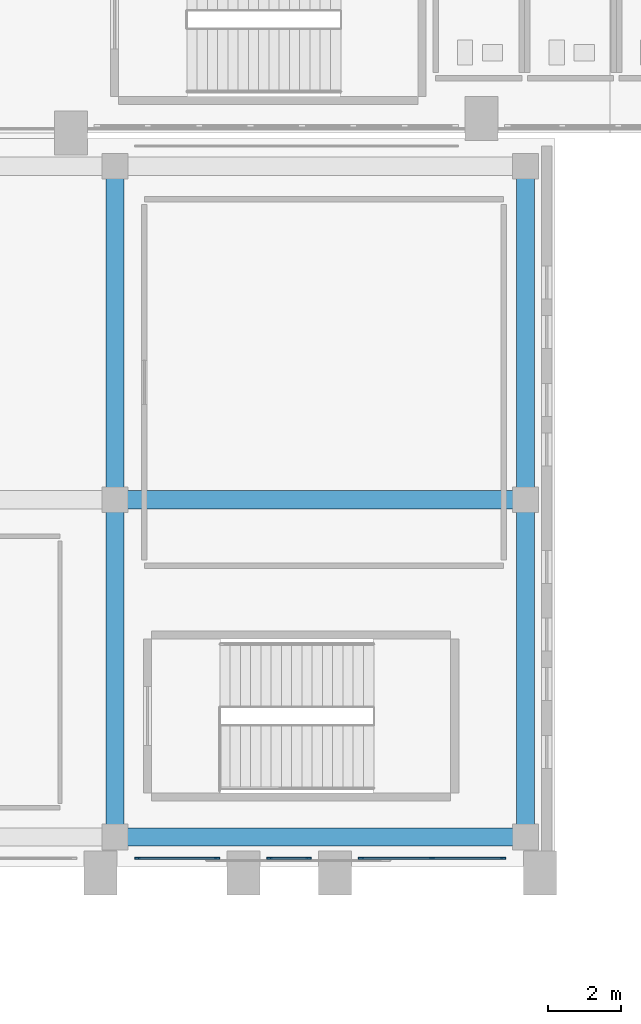
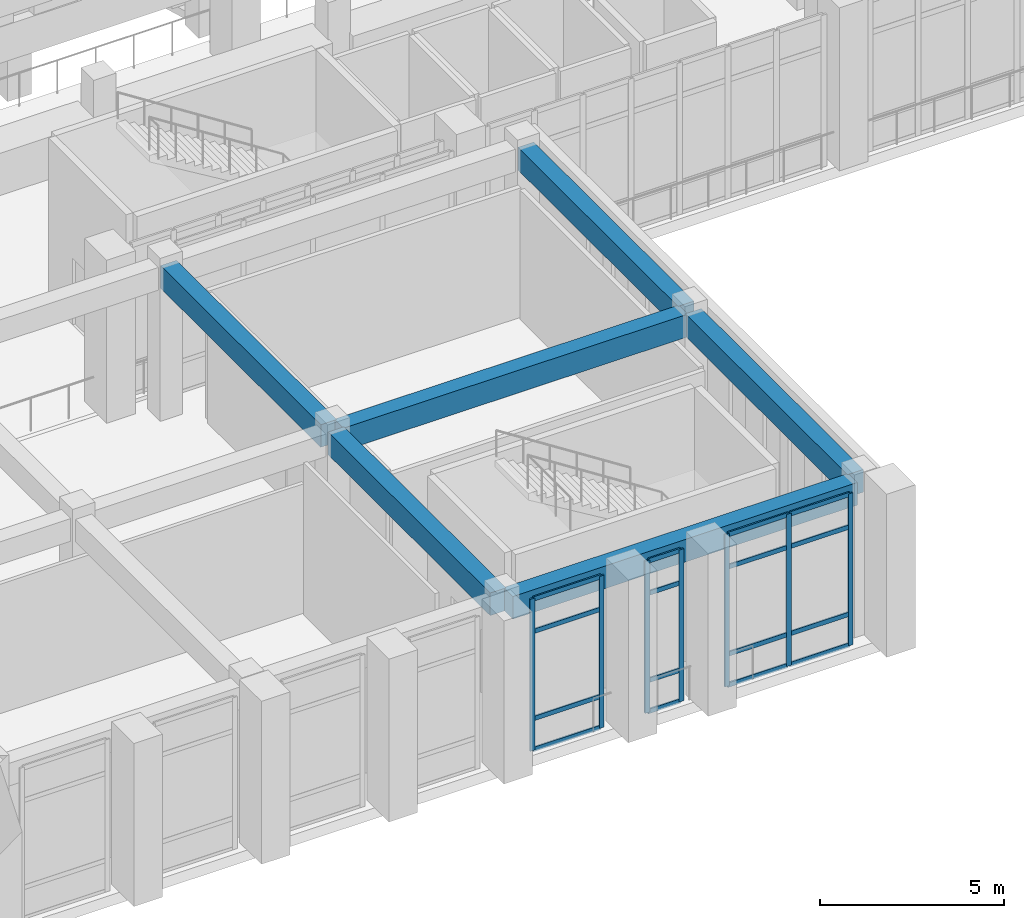
# One storey, part 22 of 159: 23 members, 6 beams, 3 elements without a shape of their own.
"""IFC4 building model written with IfcOpenShell, lengths in metres."""

from ifc_helpers import new_model, si_unit, derived_unit, direction, frame, origin, origin_2d, place, context, subcontext, project, spatial, rectangle, extrude, material, layer, layer_set, material_profile, profile_set, type_object, element, aggregate, save


model = new_model("IFC4")

# Units and contexts
model_context = context("Model", 3, precision=1e-05, world=origin(), true_north=direction((0.0, 1.0)))
body_context = subcontext(model_context, "Body", "Model", "MODEL_VIEW")
ifc_project = project(units=[si_unit("LENGTHUNIT", "METRE"), si_unit("AREAUNIT", "SQUARE_METRE"), si_unit("VOLUMEUNIT", "CUBIC_METRE"), si_unit("PLANEANGLEUNIT", "RADIAN"), si_unit("MASSUNIT", "GRAM", prefix="KILO"), derived_unit("THERMALTRANSMITTANCEUNIT", [(si_unit("MASSUNIT", "GRAM", prefix="KILO"), 1), (si_unit("TIMEUNIT", "SECOND"), -3), (si_unit("THERMODYNAMICTEMPERATUREUNIT", "KELVIN"), -1)])], contexts=[model_context])

# Site, building, storey
site_placement = place(None, origin())
site = spatial("IfcSite", under=ifc_project, at=site_placement, CompositionType="ELEMENT")
building_placement = place(site_placement, origin())
building = spatial("IfcBuilding", under=site, at=building_placement, Name="Valcora Ridge Arena", CompositionType="ELEMENT")
storey_placement = place(building_placement, frame((0.0, 0.0, 6.0)))
storey = spatial("IfcBuildingStorey", under=building, at=storey_placement, Name="L01", CompositionType="ELEMENT", Elevation=6.0)

# Beams
ifc_material_1 = material(Name="Concrete C40/50", Category="concrete")
ifc_material_profile_1 = material_profile(ifc_material_1, rectangle(XDim=0.5, YDim=0.75, at=origin_2d()), Name="RC 500x750")
ifc_profile_set_1 = profile_set([ifc_material_profile_1], Name="Concrete C40/50")
beam_type_1 = type_object("IfcBeamType", Name="TY-BEAM-B-RC500-X", PredefinedType="BEAM", material=ifc_profile_set_1)
beam_1_placement = place(storey_placement, frame((48.199951171875, 10.0, 4.6650390625), z_axis=(1.0, 0.0, 0.0), x_axis=(0.0, 1.0, 0.0)))
element("IfcBeam", 1, at=beam_1_placement, inside=storey, type_object=beam_type_1, Name="B-RC500-X BEM-B-RC500-X-0033", PredefinedType="BEAM", context=body_context, shape_type="SweptSolid", body=[
    extrude(rectangle(XDim=0.5, YDim=0.75, at=origin_2d()), origin(), (0.0, 0.0, 1.0), 10.800048828125),
])
ifc_material_profile_2 = material_profile(ifc_material_1, rectangle(XDim=0.5, YDim=0.75, at=origin_2d()), Name="RC 500x750")
ifc_profile_set_2 = profile_set([ifc_material_profile_2], Name="Concrete C40/50")
beam_type_2 = type_object("IfcBeamType", Name="TY-BEAM-B-RC500-Y", PredefinedType="BEAM", material=ifc_profile_set_2)
beam_2_placement = place(storey_placement, frame((48.0, 1.0, 4.6650390625), z_axis=(0.0, 1.0, 0.0), x_axis=(-1.0, 0.0, 0.0)))
element("IfcBeam", 2, at=beam_2_placement, inside=storey, type_object=beam_type_2, Name="B-RC500-Y BEM-B-RC500-Y-0063", PredefinedType="BEAM", context=body_context, shape_type="SweptSolid", body=[
    extrude(rectangle(XDim=0.5, YDim=0.75, at=origin_2d()), origin(), (0.0, 0.0, 1.0), 8.800048828125),
])
beam_3_placement = place(storey_placement, frame((48.0, 10.199951171875, 4.6650390625), z_axis=(0.0, 1.0, 0.0), x_axis=(-1.0, 0.0, 0.0)))
element("IfcBeam", 3, at=beam_3_placement, inside=storey, type_object=beam_type_2, Name="B-RC500-Y BEM-B-RC500-Y-0064", PredefinedType="BEAM", context=body_context, shape_type="SweptSolid", body=[
    extrude(rectangle(XDim=0.5, YDim=0.75, at=origin_2d()), origin(), (0.0, 0.0, 1.0), 8.699951171875),
])
beam_4_placement = place(storey_placement, frame((59.199951171875, 1.0, 4.6650390625), z_axis=(0.0, 1.0, 0.0), x_axis=(-1.0, 0.0, 0.0)))
element("IfcBeam", 4, at=beam_4_placement, inside=storey, type_object=beam_type_2, Name="B-RC500-Y BEM-B-RC500-Y-0065", PredefinedType="BEAM", context=body_context, shape_type="SweptSolid", body=[
    extrude(rectangle(XDim=0.5, YDim=0.75, at=origin_2d()), origin(), (0.0, 0.0, 1.0), 8.800048828125),
])
beam_5_placement = place(storey_placement, frame((59.199951171875, 10.199951171875, 4.6650390625), z_axis=(0.0, 1.0, 0.0), x_axis=(-1.0, 0.0, 0.0)))
element("IfcBeam", 5, at=beam_5_placement, inside=storey, type_object=beam_type_2, Name="B-RC500-Y BEM-B-RC500-Y-0066", PredefinedType="BEAM", context=body_context, shape_type="SweptSolid", body=[
    extrude(rectangle(XDim=0.5, YDim=0.75, at=origin_2d()), origin(), (0.0, 0.0, 1.0), 8.699951171875),
])
ifc_material_profile_3 = material_profile(ifc_material_1, rectangle(XDim=0.5, YDim=0.75, at=origin_2d()), Name="RC 500x750")
ifc_profile_set_3 = profile_set([ifc_material_profile_3], Name="Concrete C40/50")
beam_type_3 = type_object("IfcBeamType", Name="TY-BEAM-EB-RC500", PredefinedType="BEAM", material=ifc_profile_set_3)
beam_6_placement = place(storey_placement, frame((48.199951171875, 0.800048828125, 4.6650390625), z_axis=(1.0, 0.0, 0.0), x_axis=(0.0, 1.0, 0.0)))
element("IfcBeam", 6, at=beam_6_placement, inside=storey, type_object=beam_type_3, Name="EB-RC500 BEM-EB-RC500-0016", PredefinedType="BEAM", context=body_context, shape_type="SweptSolid", body=[
    extrude(rectangle(XDim=0.5, YDim=0.75, at=origin_2d()), origin(), (0.0, 0.0, 1.0), 10.800048828125),
])

# Curtain wall, members
ifc_material_2 = material(Name="Anodised dark bronze architectural aluminium 6063-T6", Category="aluminium")
ifc_layer_1 = layer(ifc_material_2, 0.14990234375, Name="Anodised dark bronze architectural aluminium 6063-T6")
ifc_layer_set_1 = layer_set([ifc_layer_1], Name="Anodised dark bronze architectural aluminium 6063-T6")
curtain_wall_type_1 = type_object("IfcCurtainWallType", Name="TY-CURTAINWALL-CW-V4-CLUB-022X50", PredefinedType="NOTDEFINED", material=ifc_layer_set_1)
curtain_wall_1_placement = place(storey_placement, origin())
curtain_wall_1 = element("IfcCurtainWall", 7, at=curtain_wall_1_placement, inside=storey, type_object=curtain_wall_type_1, Name="CW-V4-CLUB-022X50 CW-0213", PredefinedType="NOTDEFINED")
ifc_material_profile_4 = material_profile(ifc_material_2, rectangle(XDim=0.050048828125, YDim=0.14990234375, at=origin_2d()), Name="ALU MULLION 50x150")
ifc_profile_set_4 = profile_set([ifc_material_profile_4], Name="Anodised dark bronze architectural aluminium 6063-T6")
member_type_1 = type_object("IfcMemberType", Name="TY-MEM-CWM-50x150", PredefinedType="MULLION", material=ifc_profile_set_4)
member_1_placement = place(storey_placement, frame((48.614990234375, 0.219970703125, 0.0), z_axis=(0.0, 0.0, 1.0), x_axis=(0.0, 1.0, 0.0)))
member_1 = element("IfcMember", 8, at=member_1_placement, type_object=member_type_1, Name="CW-0213/CWM-50x150/M00", PredefinedType="MULLION", context=body_context, shape_type="SweptSolid", body=[
    extrude(rectangle(XDim=0.050048828125, YDim=0.14990234375, at=origin_2d()), origin(), (0.0, 0.0, 1.0), 5.0400390625),
])
member_2_placement = place(storey_placement, frame((50.784912109375, 0.219970703125, 0.0), z_axis=(0.0, 0.0, 1.0), x_axis=(0.0, 1.0, 0.0)))
member_2 = element("IfcMember", 9, at=member_2_placement, type_object=member_type_1, Name="CW-0213/CWM-50x150/M01", PredefinedType="MULLION", context=body_context, shape_type="SweptSolid", body=[
    extrude(rectangle(XDim=0.050048828125, YDim=0.14990234375, at=origin_2d()), origin(), (0.0, 0.0, 1.0), 5.0400390625),
])

ifc_layer_2 = layer(ifc_material_2, 0.14990234375, Name="Anodised dark bronze architectural aluminium 6063-T6")
ifc_layer_set_2 = layer_set([ifc_layer_2], Name="Anodised dark bronze architectural aluminium 6063-T6")
curtain_wall_type_2 = type_object("IfcCurtainWallType", Name="TY-CURTAINWALL-CW-V4-CLUB-011X50", PredefinedType="NOTDEFINED", material=ifc_layer_set_2)
curtain_wall_2_placement = place(storey_placement, origin())
curtain_wall_2 = element("IfcCurtainWall", 10, at=curtain_wall_2_placement, inside=storey, type_object=curtain_wall_type_2, Name="CW-V4-CLUB-011X50 CW-0214", PredefinedType="NOTDEFINED")
member_3_placement = place(storey_placement, frame((52.215087890625, 0.219970703125, 0.0), z_axis=(0.0, 0.0, 1.0), x_axis=(0.0, 1.0, 0.0)))
member_3 = element("IfcMember", 11, at=member_3_placement, type_object=member_type_1, Name="CW-0214/CWM-50x150/M00", PredefinedType="MULLION", context=body_context, shape_type="SweptSolid", body=[
    extrude(rectangle(XDim=0.050048828125, YDim=0.14990234375, at=origin_2d()), origin(), (0.0, 0.0, 1.0), 5.0400390625),
])
member_4_placement = place(storey_placement, frame((53.284912109375, 0.219970703125, 0.0), z_axis=(0.0, 0.0, 1.0), x_axis=(0.0, 1.0, 0.0)))
member_4 = element("IfcMember", 12, at=member_4_placement, type_object=member_type_1, Name="CW-0214/CWM-50x150/M01", PredefinedType="MULLION", context=body_context, shape_type="SweptSolid", body=[
    extrude(rectangle(XDim=0.050048828125, YDim=0.14990234375, at=origin_2d()), origin(), (0.0, 0.0, 1.0), 5.0400390625),
])

ifc_layer_3 = layer(ifc_material_2, 0.14990234375, Name="Anodised dark bronze architectural aluminium 6063-T6")
ifc_layer_set_3 = layer_set([ifc_layer_3], Name="Anodised dark bronze architectural aluminium 6063-T6")
curtain_wall_type_3 = type_object("IfcCurtainWallType", Name="TY-CURTAINWALL-CW-V4-CLUB-039X50", PredefinedType="NOTDEFINED", material=ifc_layer_set_3)
curtain_wall_3_placement = place(storey_placement, origin())
curtain_wall_3 = element("IfcCurtainWall", 13, at=curtain_wall_3_placement, inside=storey, type_object=curtain_wall_type_3, Name="CW-V4-CLUB-039X50 CW-0215", PredefinedType="NOTDEFINED")
member_5_placement = place(storey_placement, frame((54.715087890625, 0.219970703125, 0.0), z_axis=(0.0, 0.0, 1.0), x_axis=(0.0, 1.0, 0.0)))
member_5 = element("IfcMember", 14, at=member_5_placement, type_object=member_type_1, Name="CW-0215/CWM-50x150/M00", PredefinedType="MULLION", context=body_context, shape_type="SweptSolid", body=[
    extrude(rectangle(XDim=0.050048828125, YDim=0.14990234375, at=origin_2d()), origin(), (0.0, 0.0, 1.0), 5.0400390625),
])
member_6_placement = place(storey_placement, frame((56.64990234375, 0.219970703125, 0.0), z_axis=(0.0, 0.0, 1.0), x_axis=(0.0, 1.0, 0.0)))
member_6 = element("IfcMember", 15, at=member_6_placement, type_object=member_type_1, Name="CW-0215/CWM-50x150/M01", PredefinedType="MULLION", context=body_context, shape_type="SweptSolid", body=[
    extrude(rectangle(XDim=0.050048828125, YDim=0.14990234375, at=origin_2d()), origin(), (0.0, 0.0, 1.0), 5.0400390625),
])
member_7_placement = place(storey_placement, frame((58.5849609375, 0.219970703125, 0.0), z_axis=(0.0, 0.0, 1.0), x_axis=(0.0, 1.0, 0.0)))
member_7 = element("IfcMember", 16, at=member_7_placement, type_object=member_type_1, Name="CW-0215/CWM-50x150/M02", PredefinedType="MULLION", context=body_context, shape_type="SweptSolid", body=[
    extrude(rectangle(XDim=0.050048828125, YDim=0.14990234375, at=origin_2d()), origin(), (0.0, 0.0, 1.0), 5.0400390625),
])

# Member
ifc_material_profile_5 = material_profile(ifc_material_2, rectangle(XDim=0.050048828125, YDim=0.14990234375, at=origin_2d()), Name="ALU TRANSOM 50x150")
ifc_profile_set_5 = profile_set([ifc_material_profile_5], Name="Anodised dark bronze architectural aluminium 6063-T6")
member_type_2 = type_object("IfcMemberType", Name="TY-MEM-CWT-50x150", PredefinedType="USERDEFINED", material=ifc_profile_set_5)
member_8_placement = place(storey_placement, frame((48.639892578125, 0.219970703125, 0.02490234375), z_axis=(1.0, 0.0, 0.0), x_axis=(0.0, 1.0, 0.0)))
member_8 = element("IfcMember", 17, at=member_8_placement, type_object=member_type_2, Name="CW-0213/CWT-50x150/T00-00", ObjectType="TRANSOM", PredefinedType="USERDEFINED", context=body_context, shape_type="SweptSolid", body=[
    extrude(rectangle(XDim=0.050048828125, YDim=0.14990234375, at=origin_2d()), origin(), (0.0, 0.0, 1.0), 2.1201171875),
])

member_9_placement = place(storey_placement, frame((48.639892578125, 0.219970703125, 1.050048828125), z_axis=(1.0, 0.0, 0.0), x_axis=(0.0, 1.0, 0.0)))
member_9 = element("IfcMember", 18, at=member_9_placement, type_object=member_type_2, Name="CW-0213/CWT-50x150/T00-01", ObjectType="TRANSOM", PredefinedType="USERDEFINED", context=body_context, shape_type="SweptSolid", body=[
    extrude(rectangle(XDim=0.050048828125, YDim=0.14990234375, at=origin_2d()), origin(), (0.0, 0.0, 1.0), 2.1201171875),
])

member_10_placement = place(storey_placement, frame((48.639892578125, 0.219970703125, 3.93994140625), z_axis=(1.0, 0.0, 0.0), x_axis=(0.0, 1.0, 0.0)))
member_10 = element("IfcMember", 19, at=member_10_placement, type_object=member_type_2, Name="CW-0213/CWT-50x150/T00-02", ObjectType="TRANSOM", PredefinedType="USERDEFINED", context=body_context, shape_type="SweptSolid", body=[
    extrude(rectangle(XDim=0.050048828125, YDim=0.14990234375, at=origin_2d()), origin(), (0.0, 0.0, 1.0), 2.1201171875),
])

member_11_placement = place(storey_placement, frame((48.639892578125, 0.219970703125, 5.014892578125), z_axis=(1.0, 0.0, 0.0), x_axis=(0.0, 1.0, 0.0)))
member_11 = element("IfcMember", 20, at=member_11_placement, type_object=member_type_2, Name="CW-0213/CWT-50x150/T00-03", ObjectType="TRANSOM", PredefinedType="USERDEFINED", context=body_context, shape_type="SweptSolid", body=[
    extrude(rectangle(XDim=0.050048828125, YDim=0.14990234375, at=origin_2d()), origin(), (0.0, 0.0, 1.0), 2.1201171875),
])

aggregate(curtain_wall_1, [member_1, member_2, member_8, member_9, member_10, member_11])

member_12_placement = place(storey_placement, frame((52.239990234375, 0.219970703125, 0.02490234375), z_axis=(1.0, 0.0, 0.0), x_axis=(0.0, 1.0, 0.0)))
member_12 = element("IfcMember", 21, at=member_12_placement, type_object=member_type_2, Name="CW-0214/CWT-50x150/T00-00", ObjectType="TRANSOM", PredefinedType="USERDEFINED", context=body_context, shape_type="SweptSolid", body=[
    extrude(rectangle(XDim=0.050048828125, YDim=0.14990234375, at=origin_2d()), origin(), (0.0, 0.0, 1.0), 1.02001953125),
])

member_13_placement = place(storey_placement, frame((52.239990234375, 0.219970703125, 1.050048828125), z_axis=(1.0, 0.0, 0.0), x_axis=(0.0, 1.0, 0.0)))
member_13 = element("IfcMember", 22, at=member_13_placement, type_object=member_type_2, Name="CW-0214/CWT-50x150/T00-01", ObjectType="TRANSOM", PredefinedType="USERDEFINED", context=body_context, shape_type="SweptSolid", body=[
    extrude(rectangle(XDim=0.050048828125, YDim=0.14990234375, at=origin_2d()), origin(), (0.0, 0.0, 1.0), 1.02001953125),
])

member_14_placement = place(storey_placement, frame((52.239990234375, 0.219970703125, 3.93994140625), z_axis=(1.0, 0.0, 0.0), x_axis=(0.0, 1.0, 0.0)))
member_14 = element("IfcMember", 23, at=member_14_placement, type_object=member_type_2, Name="CW-0214/CWT-50x150/T00-02", ObjectType="TRANSOM", PredefinedType="USERDEFINED", context=body_context, shape_type="SweptSolid", body=[
    extrude(rectangle(XDim=0.050048828125, YDim=0.14990234375, at=origin_2d()), origin(), (0.0, 0.0, 1.0), 1.02001953125),
])

member_15_placement = place(storey_placement, frame((52.239990234375, 0.219970703125, 5.014892578125), z_axis=(1.0, 0.0, 0.0), x_axis=(0.0, 1.0, 0.0)))
member_15 = element("IfcMember", 24, at=member_15_placement, type_object=member_type_2, Name="CW-0214/CWT-50x150/T00-03", ObjectType="TRANSOM", PredefinedType="USERDEFINED", context=body_context, shape_type="SweptSolid", body=[
    extrude(rectangle(XDim=0.050048828125, YDim=0.14990234375, at=origin_2d()), origin(), (0.0, 0.0, 1.0), 1.02001953125),
])

aggregate(curtain_wall_2, [member_3, member_4, member_12, member_13, member_14, member_15])

member_16_placement = place(storey_placement, frame((54.739990234375, 0.219970703125, 0.02490234375), z_axis=(1.0, 0.0, 0.0), x_axis=(0.0, 1.0, 0.0)))
member_16 = element("IfcMember", 25, at=member_16_placement, type_object=member_type_2, Name="CW-0215/CWT-50x150/T00-00", ObjectType="TRANSOM", PredefinedType="USERDEFINED", context=body_context, shape_type="SweptSolid", body=[
    extrude(rectangle(XDim=0.050048828125, YDim=0.14990234375, at=origin_2d()), origin(), (0.0, 0.0, 1.0), 1.885009765625),
])

member_17_placement = place(storey_placement, frame((54.739990234375, 0.219970703125, 1.050048828125), z_axis=(1.0, 0.0, 0.0), x_axis=(0.0, 1.0, 0.0)))
member_17 = element("IfcMember", 26, at=member_17_placement, type_object=member_type_2, Name="CW-0215/CWT-50x150/T00-01", ObjectType="TRANSOM", PredefinedType="USERDEFINED", context=body_context, shape_type="SweptSolid", body=[
    extrude(rectangle(XDim=0.050048828125, YDim=0.14990234375, at=origin_2d()), origin(), (0.0, 0.0, 1.0), 1.885009765625),
])

member_18_placement = place(storey_placement, frame((54.739990234375, 0.219970703125, 3.93994140625), z_axis=(1.0, 0.0, 0.0), x_axis=(0.0, 1.0, 0.0)))
member_18 = element("IfcMember", 27, at=member_18_placement, type_object=member_type_2, Name="CW-0215/CWT-50x150/T00-02", ObjectType="TRANSOM", PredefinedType="USERDEFINED", context=body_context, shape_type="SweptSolid", body=[
    extrude(rectangle(XDim=0.050048828125, YDim=0.14990234375, at=origin_2d()), origin(), (0.0, 0.0, 1.0), 1.885009765625),
])

member_19_placement = place(storey_placement, frame((54.739990234375, 0.219970703125, 5.014892578125), z_axis=(1.0, 0.0, 0.0), x_axis=(0.0, 1.0, 0.0)))
member_19 = element("IfcMember", 28, at=member_19_placement, type_object=member_type_2, Name="CW-0215/CWT-50x150/T00-03", ObjectType="TRANSOM", PredefinedType="USERDEFINED", context=body_context, shape_type="SweptSolid", body=[
    extrude(rectangle(XDim=0.050048828125, YDim=0.14990234375, at=origin_2d()), origin(), (0.0, 0.0, 1.0), 1.885009765625),
])

member_20_placement = place(storey_placement, frame((56.675048828125, 0.219970703125, 0.02490234375), z_axis=(1.0, 0.0, 0.0), x_axis=(0.0, 1.0, 0.0)))
member_20 = element("IfcMember", 29, at=member_20_placement, type_object=member_type_2, Name="CW-0215/CWT-50x150/T01-00", ObjectType="TRANSOM", PredefinedType="USERDEFINED", context=body_context, shape_type="SweptSolid", body=[
    extrude(rectangle(XDim=0.050048828125, YDim=0.14990234375, at=origin_2d()), origin(), (0.0, 0.0, 1.0), 1.885009765625),
])

member_21_placement = place(storey_placement, frame((56.675048828125, 0.219970703125, 1.050048828125), z_axis=(1.0, 0.0, 0.0), x_axis=(0.0, 1.0, 0.0)))
member_21 = element("IfcMember", 30, at=member_21_placement, type_object=member_type_2, Name="CW-0215/CWT-50x150/T01-01", ObjectType="TRANSOM", PredefinedType="USERDEFINED", context=body_context, shape_type="SweptSolid", body=[
    extrude(rectangle(XDim=0.050048828125, YDim=0.14990234375, at=origin_2d()), origin(), (0.0, 0.0, 1.0), 1.885009765625),
])

member_22_placement = place(storey_placement, frame((56.675048828125, 0.219970703125, 3.93994140625), z_axis=(1.0, 0.0, 0.0), x_axis=(0.0, 1.0, 0.0)))
member_22 = element("IfcMember", 31, at=member_22_placement, type_object=member_type_2, Name="CW-0215/CWT-50x150/T01-02", ObjectType="TRANSOM", PredefinedType="USERDEFINED", context=body_context, shape_type="SweptSolid", body=[
    extrude(rectangle(XDim=0.050048828125, YDim=0.14990234375, at=origin_2d()), origin(), (0.0, 0.0, 1.0), 1.885009765625),
])

member_23_placement = place(storey_placement, frame((56.675048828125, 0.219970703125, 5.014892578125), z_axis=(1.0, 0.0, 0.0), x_axis=(0.0, 1.0, 0.0)))
member_23 = element("IfcMember", 32, at=member_23_placement, type_object=member_type_2, Name="CW-0215/CWT-50x150/T01-03", ObjectType="TRANSOM", PredefinedType="USERDEFINED", context=body_context, shape_type="SweptSolid", body=[
    extrude(rectangle(XDim=0.050048828125, YDim=0.14990234375, at=origin_2d()), origin(), (0.0, 0.0, 1.0), 1.885009765625),
])

aggregate(curtain_wall_3, [member_5, member_6, member_7, member_16, member_17, member_18, member_19, member_20, member_21, member_22, member_23])

save(model, "model.ifc")
